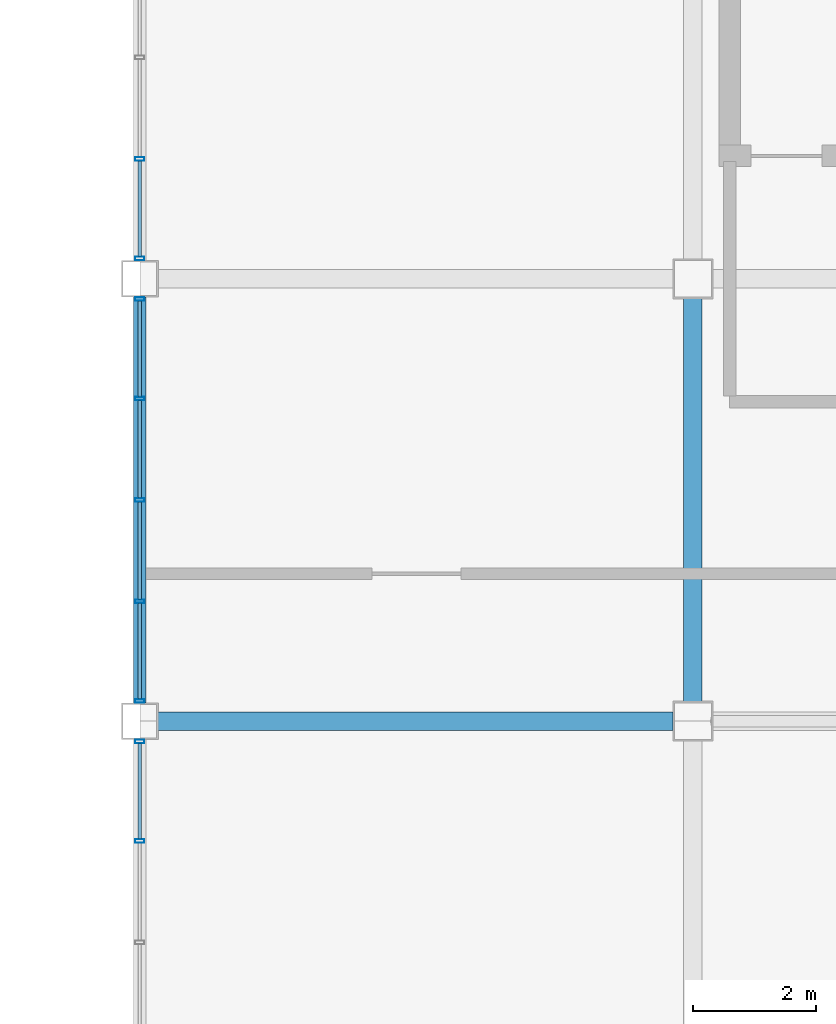
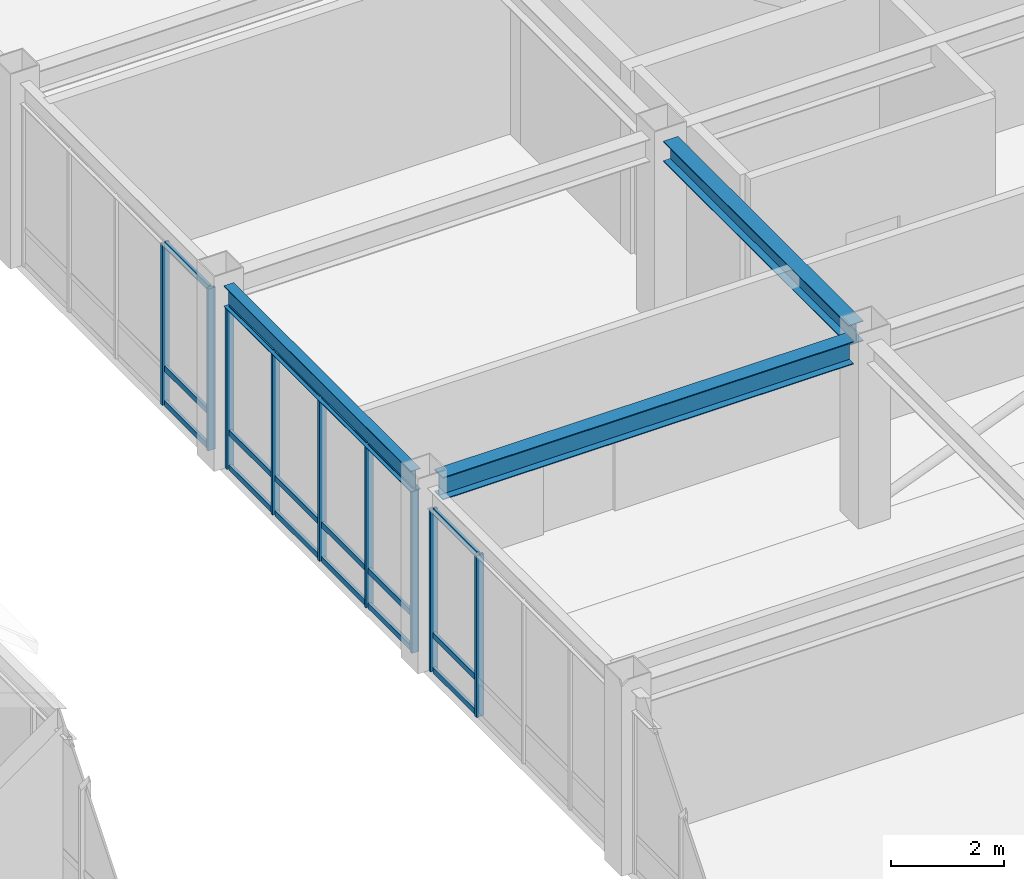
# One storey, part 52 of 106: 27 members, 3 beams, 3 elements without a shape of their own.
"""IFC4 building model written with IfcOpenShell, lengths in metres."""

from ifc_helpers import new_model, si_unit, direction, frame, origin, origin_2d, place, context, subcontext, project, spatial, hollow_rectangle, i_section, extrude, material, material_profile, profile_set, type_object, element, aggregate, save


model = new_model("IFC4")

# Units and contexts
model_context = context("Model", 3, precision=1e-05, world=origin(), true_north=direction((0.0, 1.0)))
body_context = subcontext(model_context, "Body", "Model", "MODEL_VIEW")
ifc_project = project(units=[si_unit("LENGTHUNIT", "METRE"), si_unit("AREAUNIT", "SQUARE_METRE"), si_unit("VOLUMEUNIT", "CUBIC_METRE"), si_unit("PLANEANGLEUNIT", "RADIAN"), si_unit("MASSUNIT", "GRAM", prefix="KILO")], contexts=[model_context])

# Site, building, storey
site_placement = place(None, origin())
site = spatial("IfcSite", under=ifc_project, at=site_placement, CompositionType="ELEMENT")
building_placement = place(site_placement, origin())
building = spatial("IfcBuilding", under=site, at=building_placement, Name="Kazanami Central Library", CompositionType="ELEMENT")
storey_placement = place(building_placement, frame((0.0, 0.0, 12.800048828125)))
storey = spatial("IfcBuildingStorey", under=building, at=storey_placement, Name="L04", CompositionType="ELEMENT", Elevation=12.800048828125)

# Beams
ifc_material_1 = material(Name="Steel SN490B (325 MPa)", Category="steel")
ifc_material_profile_1 = material_profile(ifc_material_1, i_section(OverallWidth=0.300048828125, OverallDepth=0.488037109375, WebThickness=0.010986328125, FlangeThickness=0.01806640625, at=origin_2d()), Name="H-488x300x11x18")
ifc_profile_set_1 = profile_set([ifc_material_profile_1], Name="Steel SN490B (325 MPa)")
beam_type_1 = type_object("IfcBeamType", Name="BM-G-X5", PredefinedType="BEAM", material=ifc_profile_set_1)
beam_1_placement = place(storey_placement, frame((117.298095703125, 72.0, 3.696044921875), z_axis=(1.0, 0.0, 0.0), x_axis=(0.0, 1.0, 0.0)))
element("IfcBeam", 1, at=beam_1_placement, inside=storey, type_object=beam_type_1, Name="Girder G-X5 L04 L/14-15", PredefinedType="BEAM", context=body_context, shape_type="SweptSolid", body=[
    extrude(i_section(OverallWidth=0.300048828125, OverallDepth=0.488037109375, WebThickness=0.010986328125, FlangeThickness=0.01806640625, at=origin_2d()), origin(), (0.0, 0.0, 1.0), 8.37890625),
])
ifc_material_profile_2 = material_profile(ifc_material_1, i_section(OverallWidth=0.300048828125, OverallDepth=0.43994140625, WebThickness=0.010986328125, FlangeThickness=0.01806640625, at=origin_2d()), Name="H-440x300x11x18")
ifc_profile_set_2 = profile_set([ifc_material_profile_2], Name="Steel SN490B (325 MPa)")
beam_type_2 = type_object("IfcBeamType", Name="BM-G-Y4", PredefinedType="BEAM", material=ifc_profile_set_2)
beam_2_placement = place(storey_placement, frame((126.0, 72.322998046875, 3.719970703125), z_axis=(0.0, 1.0, 0.0), x_axis=(-1.0, 0.0, 0.0)))
element("IfcBeam", 2, at=beam_2_placement, inside=storey, type_object=beam_type_2, Name="Girder G-Y4 L04 15/L-M", PredefinedType="BEAM", context=body_context, shape_type="SweptSolid", body=[
    extrude(i_section(OverallWidth=0.300048828125, OverallDepth=0.43994140625, WebThickness=0.010986328125, FlangeThickness=0.01806640625, at=origin_2d()), origin(), (0.0, 0.0, 1.0), 6.553955078125),
])
ifc_material_profile_3 = material_profile(ifc_material_1, i_section(OverallWidth=0.199951171875, OverallDepth=0.449951171875, WebThickness=0.009033203125, FlangeThickness=0.013916015625, at=origin_2d()), Name="H-450x200x9x14")
ifc_profile_set_3 = profile_set([ifc_material_profile_3], Name="Steel SN490B (325 MPa)")
beam_type_3 = type_object("IfcBeamType", Name="BM-SP-2", PredefinedType="SPANDREL", material=ifc_profile_set_3)
beam_3_placement = place(storey_placement, frame((117.0, 72.298095703125, 3.71484375), z_axis=(0.0, 1.0, 0.0), x_axis=(-1.0, 0.0, 0.0)))
element("IfcBeam", 3, at=beam_3_placement, inside=storey, type_object=beam_type_3, Name="Girder SP-2 L04 14/L-M", PredefinedType="SPANDREL", context=body_context, shape_type="SweptSolid", body=[
    extrude(i_section(OverallWidth=0.199951171875, OverallDepth=0.449951171875, WebThickness=0.009033203125, FlangeThickness=0.013916015625, at=origin_2d()), origin(), (0.0, 0.0, 1.0), 6.60400390625),
])

# Curtain wall, members
ifc_material_2 = material(Name="Acid-Etched Low-E Laminated Glass", Category="glass")
curtain_wall_type = type_object("IfcCurtainWallType", Name="CW-6600x3490-M180", PredefinedType="USERDEFINED", material=ifc_material_2)
curtain_wall_1_placement = place(storey_placement, origin())
curtain_wall_1 = element("IfcCurtainWall", 4, at=curtain_wall_1_placement, inside=storey, type_object=curtain_wall_type, Name="Covered Link Bridge Curtain Wall CW-48 L04 W-14-09", ObjectType="UNITISED CURTAIN WALL", PredefinedType="USERDEFINED")
ifc_material_3 = material(Name="Anodised Aluminium A6063-T5", Category="aluminium")
ifc_material_profile_4 = material_profile(ifc_material_3, hollow_rectangle(XDim=0.06005859375, YDim=0.14990234375, WallThickness=0.00390625, at=origin_2d()), Name="ALU-MULL-60x150x4")
ifc_profile_set_4 = profile_set([ifc_material_profile_4], Name="Anodised Aluminium A6063-T5")
member_type_1 = type_object("IfcMemberType", Name="MEM-CW-M3", PredefinedType="MULLION", material=ifc_profile_set_4)
member_1_placement = place(storey_placement, frame((117.0, 70.050048828125, 0.0), z_axis=(0.0, 0.0, 1.0), x_axis=(0.0, 1.0, 0.0)))
member_1 = element("IfcMember", 5, at=member_1_placement, type_object=member_type_1, Name="CW-48 mullion 4", PredefinedType="MULLION", context=body_context, shape_type="SweptSolid", body=[
    extrude(hollow_rectangle(XDim=0.06005859375, YDim=0.14990234375, WallThickness=0.00390625, at=origin_2d()), origin(), (0.0, 0.0, 1.0), 3.489990234375),
])
member_2_placement = place(storey_placement, frame((117.0, 71.669921875, 0.0), z_axis=(0.0, 0.0, 1.0), x_axis=(0.0, 1.0, 0.0)))
member_2 = element("IfcMember", 6, at=member_2_placement, type_object=member_type_1, Name="CW-48 mullion 5", PredefinedType="MULLION", context=body_context, shape_type="SweptSolid", body=[
    extrude(hollow_rectangle(XDim=0.06005859375, YDim=0.14990234375, WallThickness=0.00390625, at=origin_2d()), origin(), (0.0, 0.0, 1.0), 3.489990234375),
])

curtain_wall_2_placement = place(storey_placement, origin())
curtain_wall_2 = element("IfcCurtainWall", 7, at=curtain_wall_2_placement, inside=storey, type_object=curtain_wall_type, Name="Covered Link Bridge Curtain Wall CW-48 L04 W-14-10", ObjectType="UNITISED CURTAIN WALL", PredefinedType="USERDEFINED")
member_3_placement = place(storey_placement, frame((117.0, 72.330078125, 0.0), z_axis=(0.0, 0.0, 1.0), x_axis=(0.0, 1.0, 0.0)))
member_3 = element("IfcMember", 8, at=member_3_placement, type_object=member_type_1, Name="CW-48 mullion 1", PredefinedType="MULLION", context=body_context, shape_type="SweptSolid", body=[
    extrude(hollow_rectangle(XDim=0.06005859375, YDim=0.14990234375, WallThickness=0.00390625, at=origin_2d()), origin(), (0.0, 0.0, 1.0), 3.489990234375),
])
member_4_placement = place(storey_placement, frame((117.0, 73.949951171875, 0.0), z_axis=(0.0, 0.0, 1.0), x_axis=(0.0, 1.0, 0.0)))
member_4 = element("IfcMember", 9, at=member_4_placement, type_object=member_type_1, Name="CW-48 mullion 2", PredefinedType="MULLION", context=body_context, shape_type="SweptSolid", body=[
    extrude(hollow_rectangle(XDim=0.06005859375, YDim=0.14990234375, WallThickness=0.00390625, at=origin_2d()), origin(), (0.0, 0.0, 1.0), 3.489990234375),
])
member_5_placement = place(storey_placement, frame((117.0, 75.60009765625, 0.0), z_axis=(0.0, 0.0, 1.0), x_axis=(0.0, 1.0, 0.0)))
member_5 = element("IfcMember", 10, at=member_5_placement, type_object=member_type_1, Name="CW-48 mullion 3", PredefinedType="MULLION", context=body_context, shape_type="SweptSolid", body=[
    extrude(hollow_rectangle(XDim=0.06005859375, YDim=0.14990234375, WallThickness=0.00390625, at=origin_2d()), origin(), (0.0, 0.0, 1.0), 3.489990234375),
])
member_6_placement = place(storey_placement, frame((117.0, 77.25, 0.0), z_axis=(0.0, 0.0, 1.0), x_axis=(0.0, 1.0, 0.0)))
member_6 = element("IfcMember", 11, at=member_6_placement, type_object=member_type_1, Name="CW-48 mullion 4", PredefinedType="MULLION", context=body_context, shape_type="SweptSolid", body=[
    extrude(hollow_rectangle(XDim=0.06005859375, YDim=0.14990234375, WallThickness=0.00390625, at=origin_2d()), origin(), (0.0, 0.0, 1.0), 3.489990234375),
])
member_7_placement = place(storey_placement, frame((117.0, 78.8701171875, 0.0), z_axis=(0.0, 0.0, 1.0), x_axis=(0.0, 1.0, 0.0)))
member_7 = element("IfcMember", 12, at=member_7_placement, type_object=member_type_1, Name="CW-48 mullion 5", PredefinedType="MULLION", context=body_context, shape_type="SweptSolid", body=[
    extrude(hollow_rectangle(XDim=0.06005859375, YDim=0.14990234375, WallThickness=0.00390625, at=origin_2d()), origin(), (0.0, 0.0, 1.0), 3.489990234375),
])

curtain_wall_3_placement = place(storey_placement, origin())
curtain_wall_3 = element("IfcCurtainWall", 13, at=curtain_wall_3_placement, inside=storey, type_object=curtain_wall_type, Name="Covered Link Bridge Curtain Wall CW-48 L04 W-14-11", ObjectType="UNITISED CURTAIN WALL", PredefinedType="USERDEFINED")
member_8_placement = place(storey_placement, frame((117.0, 79.530029296875, 0.0), z_axis=(0.0, 0.0, 1.0), x_axis=(0.0, 1.0, 0.0)))
member_8 = element("IfcMember", 14, at=member_8_placement, type_object=member_type_1, Name="CW-48 mullion 1", PredefinedType="MULLION", context=body_context, shape_type="SweptSolid", body=[
    extrude(hollow_rectangle(XDim=0.06005859375, YDim=0.14990234375, WallThickness=0.00390625, at=origin_2d()), origin(), (0.0, 0.0, 1.0), 3.489990234375),
])
member_9_placement = place(storey_placement, frame((117.0, 81.14990234375, 0.0), z_axis=(0.0, 0.0, 1.0), x_axis=(0.0, 1.0, 0.0)))
member_9 = element("IfcMember", 15, at=member_9_placement, type_object=member_type_1, Name="CW-48 mullion 2", PredefinedType="MULLION", context=body_context, shape_type="SweptSolid", body=[
    extrude(hollow_rectangle(XDim=0.06005859375, YDim=0.14990234375, WallThickness=0.00390625, at=origin_2d()), origin(), (0.0, 0.0, 1.0), 3.489990234375),
])

# Member
ifc_material_profile_5 = material_profile(ifc_material_3, hollow_rectangle(XDim=0.06005859375, YDim=0.1201171875, WallThickness=0.00341796875, at=origin_2d()), Name="ALU-TRAN-60x120x3.5")
ifc_profile_set_5 = profile_set([ifc_material_profile_5], Name="Anodised Aluminium A6063-T5")
member_type_2 = type_object("IfcMemberType", Name="MEM-CW-T3", PredefinedType="USERDEFINED", material=ifc_profile_set_5)
member_10_placement = place(storey_placement, frame((117.0, 70.080078125, 0.030029296875), z_axis=(0.0, 1.0, 0.0), x_axis=(-1.0, 0.0, 0.0)))
member_10 = element("IfcMember", 16, at=member_10_placement, type_object=member_type_2, Name="CW-48 transom 4.1", ObjectType="TRANSOM", PredefinedType="USERDEFINED", context=body_context, shape_type="SweptSolid", body=[
    extrude(hollow_rectangle(XDim=0.06005859375, YDim=0.1201171875, WallThickness=0.00341796875, at=origin_2d()), origin(), (0.0, 0.0, 1.0), 1.559814453125),
])

member_11_placement = place(storey_placement, frame((117.0, 70.080078125, 0.780029296875), z_axis=(0.0, 1.0, 0.0), x_axis=(-1.0, 0.0, 0.0)))
member_11 = element("IfcMember", 17, at=member_11_placement, type_object=member_type_2, Name="CW-48 transom 4.2", ObjectType="TRANSOM", PredefinedType="USERDEFINED", context=body_context, shape_type="SweptSolid", body=[
    extrude(hollow_rectangle(XDim=0.06005859375, YDim=0.1201171875, WallThickness=0.00341796875, at=origin_2d()), origin(), (0.0, 0.0, 1.0), 1.559814453125),
])

member_12_placement = place(storey_placement, frame((117.0, 70.080078125, 3.4599609375), z_axis=(0.0, 1.0, 0.0), x_axis=(-1.0, 0.0, 0.0)))
member_12 = element("IfcMember", 18, at=member_12_placement, type_object=member_type_2, Name="CW-48 transom 4.3", ObjectType="TRANSOM", PredefinedType="USERDEFINED", context=body_context, shape_type="SweptSolid", body=[
    extrude(hollow_rectangle(XDim=0.06005859375, YDim=0.1201171875, WallThickness=0.00341796875, at=origin_2d()), origin(), (0.0, 0.0, 1.0), 1.559814453125),
])

aggregate(curtain_wall_1, [member_1, member_2, member_10, member_11, member_12])

member_13_placement = place(storey_placement, frame((117.0, 72.360107421875, 0.030029296875), z_axis=(0.0, 1.0, 0.0), x_axis=(-1.0, 0.0, 0.0)))
member_13 = element("IfcMember", 19, at=member_13_placement, type_object=member_type_2, Name="CW-48 transom 1.1", ObjectType="TRANSOM", PredefinedType="USERDEFINED", context=body_context, shape_type="SweptSolid", body=[
    extrude(hollow_rectangle(XDim=0.06005859375, YDim=0.1201171875, WallThickness=0.00341796875, at=origin_2d()), origin(), (0.0, 0.0, 1.0), 1.559814453125),
])

member_14_placement = place(storey_placement, frame((117.0, 72.360107421875, 0.780029296875), z_axis=(0.0, 1.0, 0.0), x_axis=(-1.0, 0.0, 0.0)))
member_14 = element("IfcMember", 20, at=member_14_placement, type_object=member_type_2, Name="CW-48 transom 1.2", ObjectType="TRANSOM", PredefinedType="USERDEFINED", context=body_context, shape_type="SweptSolid", body=[
    extrude(hollow_rectangle(XDim=0.06005859375, YDim=0.1201171875, WallThickness=0.00341796875, at=origin_2d()), origin(), (0.0, 0.0, 1.0), 1.559814453125),
])

member_15_placement = place(storey_placement, frame((117.0, 72.360107421875, 3.4599609375), z_axis=(0.0, 1.0, 0.0), x_axis=(-1.0, 0.0, 0.0)))
member_15 = element("IfcMember", 21, at=member_15_placement, type_object=member_type_2, Name="CW-48 transom 1.3", ObjectType="TRANSOM", PredefinedType="USERDEFINED", context=body_context, shape_type="SweptSolid", body=[
    extrude(hollow_rectangle(XDim=0.06005859375, YDim=0.1201171875, WallThickness=0.00341796875, at=origin_2d()), origin(), (0.0, 0.0, 1.0), 1.559814453125),
])

member_16_placement = place(storey_placement, frame((117.0, 73.97998046875, 0.030029296875), z_axis=(0.0, 1.0, 0.0), x_axis=(-1.0, 0.0, 0.0)))
member_16 = element("IfcMember", 22, at=member_16_placement, type_object=member_type_2, Name="CW-48 transom 2.1", ObjectType="TRANSOM", PredefinedType="USERDEFINED", context=body_context, shape_type="SweptSolid", body=[
    extrude(hollow_rectangle(XDim=0.06005859375, YDim=0.1201171875, WallThickness=0.00341796875, at=origin_2d()), origin(), (0.0, 0.0, 1.0), 1.590087890625),
])

member_17_placement = place(storey_placement, frame((117.0, 73.97998046875, 0.780029296875), z_axis=(0.0, 1.0, 0.0), x_axis=(-1.0, 0.0, 0.0)))
member_17 = element("IfcMember", 23, at=member_17_placement, type_object=member_type_2, Name="CW-48 transom 2.2", ObjectType="TRANSOM", PredefinedType="USERDEFINED", context=body_context, shape_type="SweptSolid", body=[
    extrude(hollow_rectangle(XDim=0.06005859375, YDim=0.1201171875, WallThickness=0.00341796875, at=origin_2d()), origin(), (0.0, 0.0, 1.0), 1.590087890625),
])

member_18_placement = place(storey_placement, frame((117.0, 73.97998046875, 3.4599609375), z_axis=(0.0, 1.0, 0.0), x_axis=(-1.0, 0.0, 0.0)))
member_18 = element("IfcMember", 24, at=member_18_placement, type_object=member_type_2, Name="CW-48 transom 2.3", ObjectType="TRANSOM", PredefinedType="USERDEFINED", context=body_context, shape_type="SweptSolid", body=[
    extrude(hollow_rectangle(XDim=0.06005859375, YDim=0.1201171875, WallThickness=0.00341796875, at=origin_2d()), origin(), (0.0, 0.0, 1.0), 1.590087890625),
])

member_19_placement = place(storey_placement, frame((117.0, 75.6298828125, 0.030029296875), z_axis=(0.0, 1.0, 0.0), x_axis=(-1.0, 0.0, 0.0)))
member_19 = element("IfcMember", 25, at=member_19_placement, type_object=member_type_2, Name="CW-48 transom 3.1", ObjectType="TRANSOM", PredefinedType="USERDEFINED", context=body_context, shape_type="SweptSolid", body=[
    extrude(hollow_rectangle(XDim=0.06005859375, YDim=0.1201171875, WallThickness=0.00341796875, at=origin_2d()), origin(), (0.0, 0.0, 1.0), 1.590087890625),
])

member_20_placement = place(storey_placement, frame((117.0, 75.6298828125, 0.780029296875), z_axis=(0.0, 1.0, 0.0), x_axis=(-1.0, 0.0, 0.0)))
member_20 = element("IfcMember", 26, at=member_20_placement, type_object=member_type_2, Name="CW-48 transom 3.2", ObjectType="TRANSOM", PredefinedType="USERDEFINED", context=body_context, shape_type="SweptSolid", body=[
    extrude(hollow_rectangle(XDim=0.06005859375, YDim=0.1201171875, WallThickness=0.00341796875, at=origin_2d()), origin(), (0.0, 0.0, 1.0), 1.590087890625),
])

member_21_placement = place(storey_placement, frame((117.0, 75.6298828125, 3.4599609375), z_axis=(0.0, 1.0, 0.0), x_axis=(-1.0, 0.0, 0.0)))
member_21 = element("IfcMember", 27, at=member_21_placement, type_object=member_type_2, Name="CW-48 transom 3.3", ObjectType="TRANSOM", PredefinedType="USERDEFINED", context=body_context, shape_type="SweptSolid", body=[
    extrude(hollow_rectangle(XDim=0.06005859375, YDim=0.1201171875, WallThickness=0.00341796875, at=origin_2d()), origin(), (0.0, 0.0, 1.0), 1.590087890625),
])

member_22_placement = place(storey_placement, frame((117.0, 77.280029296875, 0.030029296875), z_axis=(0.0, 1.0, 0.0), x_axis=(-1.0, 0.0, 0.0)))
member_22 = element("IfcMember", 28, at=member_22_placement, type_object=member_type_2, Name="CW-48 transom 4.1", ObjectType="TRANSOM", PredefinedType="USERDEFINED", context=body_context, shape_type="SweptSolid", body=[
    extrude(hollow_rectangle(XDim=0.06005859375, YDim=0.1201171875, WallThickness=0.00341796875, at=origin_2d()), origin(), (0.0, 0.0, 1.0), 1.56005859375),
])

member_23_placement = place(storey_placement, frame((117.0, 77.280029296875, 0.780029296875), z_axis=(0.0, 1.0, 0.0), x_axis=(-1.0, 0.0, 0.0)))
member_23 = element("IfcMember", 29, at=member_23_placement, type_object=member_type_2, Name="CW-48 transom 4.2", ObjectType="TRANSOM", PredefinedType="USERDEFINED", context=body_context, shape_type="SweptSolid", body=[
    extrude(hollow_rectangle(XDim=0.06005859375, YDim=0.1201171875, WallThickness=0.00341796875, at=origin_2d()), origin(), (0.0, 0.0, 1.0), 1.56005859375),
])

member_24_placement = place(storey_placement, frame((117.0, 77.280029296875, 3.4599609375), z_axis=(0.0, 1.0, 0.0), x_axis=(-1.0, 0.0, 0.0)))
member_24 = element("IfcMember", 30, at=member_24_placement, type_object=member_type_2, Name="CW-48 transom 4.3", ObjectType="TRANSOM", PredefinedType="USERDEFINED", context=body_context, shape_type="SweptSolid", body=[
    extrude(hollow_rectangle(XDim=0.06005859375, YDim=0.1201171875, WallThickness=0.00341796875, at=origin_2d()), origin(), (0.0, 0.0, 1.0), 1.56005859375),
])

aggregate(curtain_wall_2, [member_3, member_4, member_5, member_6, member_7, member_13, member_14, member_15, member_16, member_17, member_18, member_19, member_20, member_21, member_22, member_23, member_24])

member_25_placement = place(storey_placement, frame((117.0, 79.56005859375, 0.030029296875), z_axis=(0.0, 1.0, 0.0), x_axis=(-1.0, 0.0, 0.0)))
member_25 = element("IfcMember", 31, at=member_25_placement, type_object=member_type_2, Name="CW-48 transom 1.1", ObjectType="TRANSOM", PredefinedType="USERDEFINED", context=body_context, shape_type="SweptSolid", body=[
    extrude(hollow_rectangle(XDim=0.06005859375, YDim=0.1201171875, WallThickness=0.00341796875, at=origin_2d()), origin(), (0.0, 0.0, 1.0), 1.56005859375),
])

member_26_placement = place(storey_placement, frame((117.0, 79.56005859375, 0.780029296875), z_axis=(0.0, 1.0, 0.0), x_axis=(-1.0, 0.0, 0.0)))
member_26 = element("IfcMember", 32, at=member_26_placement, type_object=member_type_2, Name="CW-48 transom 1.2", ObjectType="TRANSOM", PredefinedType="USERDEFINED", context=body_context, shape_type="SweptSolid", body=[
    extrude(hollow_rectangle(XDim=0.06005859375, YDim=0.1201171875, WallThickness=0.00341796875, at=origin_2d()), origin(), (0.0, 0.0, 1.0), 1.56005859375),
])

member_27_placement = place(storey_placement, frame((117.0, 79.56005859375, 3.4599609375), z_axis=(0.0, 1.0, 0.0), x_axis=(-1.0, 0.0, 0.0)))
member_27 = element("IfcMember", 33, at=member_27_placement, type_object=member_type_2, Name="CW-48 transom 1.3", ObjectType="TRANSOM", PredefinedType="USERDEFINED", context=body_context, shape_type="SweptSolid", body=[
    extrude(hollow_rectangle(XDim=0.06005859375, YDim=0.1201171875, WallThickness=0.00341796875, at=origin_2d()), origin(), (0.0, 0.0, 1.0), 1.56005859375),
])

aggregate(curtain_wall_3, [member_8, member_9, member_25, member_26, member_27])

save(model, "model.ifc")
